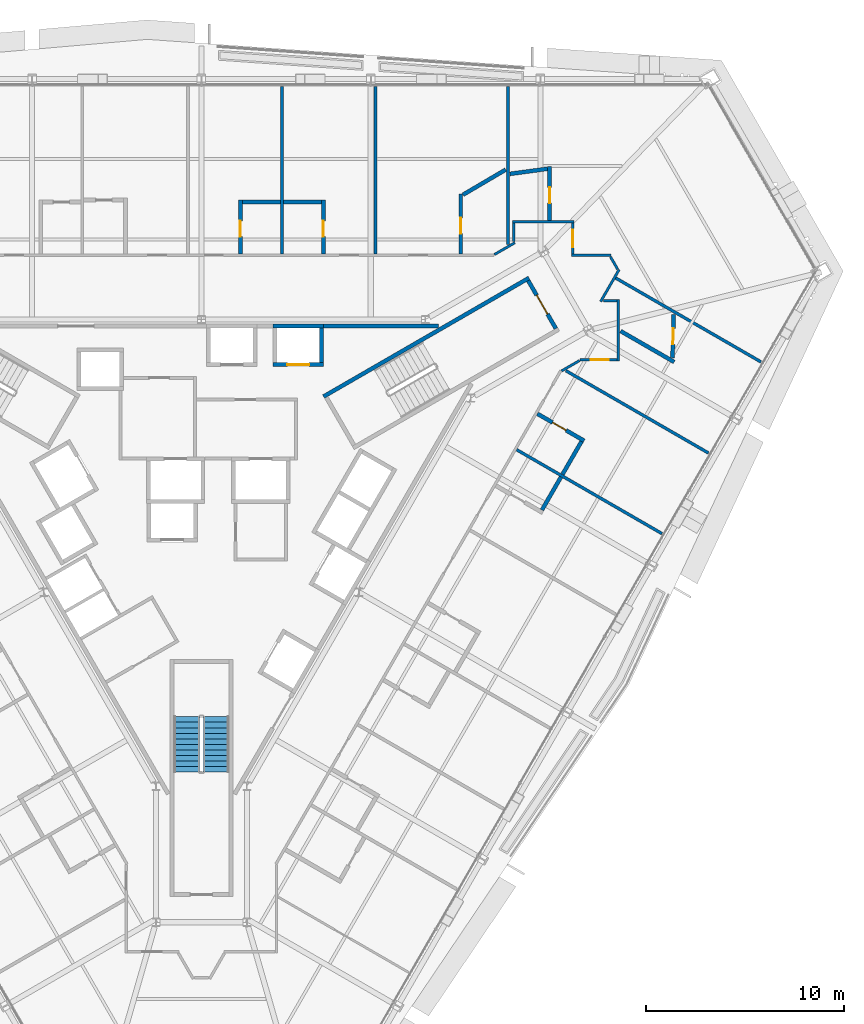
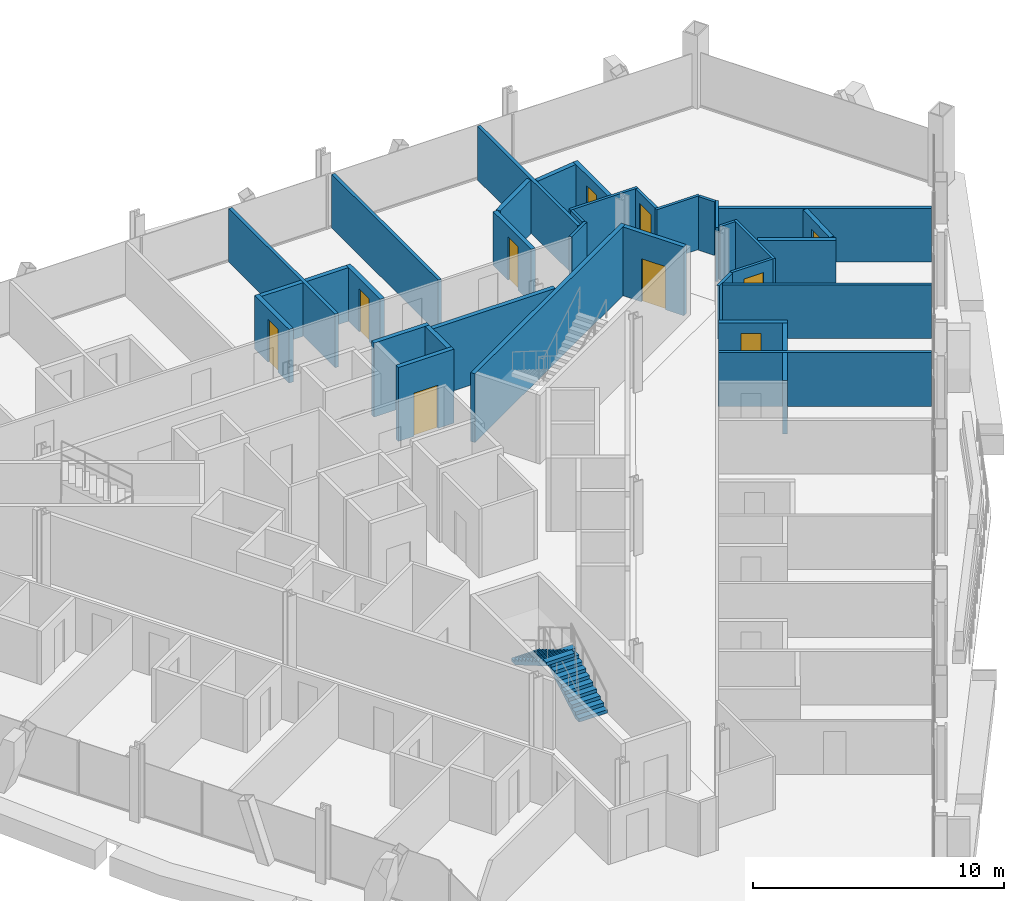
# One storey, part 17 of 20: 36 walls, 10 doors, 2 stair flights, 10 openings, 1 element without a shape of its own.
"""IFC4 building model written with IfcOpenShell, lengths in metres."""

from ifc_helpers import new_model, si_unit, direction, frame, frame_2d, origin, place, context, subcontext, project, spatial, polyline, rectangle, outline, extrude, material, layer, layer_set, type_object, element, fill, aggregate, save


model = new_model("IFC4")

# Units and contexts
model_context = context("Model", 3, precision=1e-05, world=origin(), true_north=direction((0.0, 1.0)))
body_context = subcontext(model_context, "Body", "Model", "MODEL_VIEW")
ifc_project = project(units=[si_unit("LENGTHUNIT", "METRE"), si_unit("AREAUNIT", "SQUARE_METRE"), si_unit("VOLUMEUNIT", "CUBIC_METRE"), si_unit("PLANEANGLEUNIT", "RADIAN"), si_unit("MASSUNIT", "GRAM", prefix="KILO")], contexts=[model_context])

# Site, building, storey
site_placement = place(None, origin())
site = spatial("IfcSite", under=ifc_project, at=site_placement, CompositionType="ELEMENT")
building_placement = place(site_placement, origin())
building = spatial("IfcBuilding", under=site, at=building_placement, Name="Verrane Prism Tower", CompositionType="ELEMENT")
storey_placement = place(building_placement, frame((0.0, 0.0, 69.199951171875)))
storey = spatial("IfcBuildingStorey", under=building, at=storey_placement, Name="L15", CompositionType="ELEMENT", Elevation=69.199951171875)

# Wall
ifc_material_1 = material(Name="Gypsum board partition", Category="other")
ifc_layer_1 = layer(ifc_material_1, 0.199951171875)
ifc_layer_set_1 = layer_set([ifc_layer_1], Name="CW-200 core boundary wall 2 h")
wall_type_1 = type_object("IfcWallType", Name="CW-200 core boundary wall 2 h", PredefinedType="PARTITIONING", material=ifc_layer_set_1)
wall_1_placement = place(storey_placement, frame((6.177001953125, 8.860107421875, 0.0), z_axis=(0.0, 0.0, 1.0), x_axis=(1.0, 0.0, 0.0)))
element("IfcWall", 1, at=wall_1_placement, inside=storey, type_object=wall_type_1, Name="Core boundary wall CW3-006", PredefinedType="PARTITIONING", context=body_context, shape_type="SweptSolid", body=[
    extrude(rectangle(XDim=5.81396484375, YDim=0.199951171875, at=frame_2d((2.906982421875, 0.0))), origin(), (0.0, 0.0, 1.0), 3.35009765625),
])

# Wall, opening, door
ifc_material_2 = material(Name="Concrete C40/50", Category="concrete")
ifc_layer_2 = layer(ifc_material_2, 0.199951171875)
ifc_layer_set_2 = layer_set([ifc_layer_2], Name="CW-200 stair core wall concrete C40/50 3 h")
wall_type_2 = type_object("IfcWallType", Name="CW-200 stair core wall concrete C40/50 3 h", PredefinedType="PARTITIONING", material=ifc_layer_set_2)
wall_2_placement = place(storey_placement, frame((17.933837890625, 8.737548828125, 0.0), z_axis=(0.0, 0.0, 1.0), x_axis=(-0.49998411664, 0.866034573852, 0.0)))
wall_2 = element("IfcWall", 2, at=wall_2_placement, inside=storey, type_object=wall_type_2, Name="Stair 1 enclosure wall", PredefinedType="PARTITIONING", context=body_context, shape_type="SweptSolid", body=[
    extrude(rectangle(XDim=2.7998046875, YDim=0.199951171875, at=frame_2d((1.39990234375, 0.0))), origin(), (0.0, 0.0, 1.0), 3.35009765625),
])
opening_1_placement = place(wall_2_placement, frame((0.849853515625, 0.0, 0.0)))
opening_1 = element("IfcOpeningElement", 3, at=opening_1_placement, cuts=wall_2, Name="Opening D14500", PredefinedType="OPENING", context=body_context, shape_type="SweptSolid", body=[
    extrude(rectangle(XDim=1.10009765625, YDim=2.10009765625, at=frame_2d((0.550048828125, 1.050048828125))), frame((0.0, 0.10986328125, 0.0), z_axis=(0.0, -1.0, 0.0), x_axis=(1.0, 0.0, 0.0)), (0.0, 0.0, 1.0), 0.219970703125),
])
ifc_material_3 = material(Name="Timber veneered door leaf", Category="wood")
door_type_1 = type_object("IfcDoorType", Name="DR-1100x2100 FD90 single leaf stair", OperationType="NOTDEFINED", PredefinedType="DOOR", material=ifc_material_3)
door_1_placement = place(opening_1_placement, origin())
door_1 = element("IfcDoor", 4, at=door_1_placement, inside=storey, type_object=door_type_1, Name="Stair 1 door", OperationType="SINGLE_SWING_LEFT", OverallHeight=2.10009765625, OverallWidth=1.10009765625, PredefinedType="DOOR", context=body_context, shape_type="SweptSolid", body=[
    extrude(rectangle(XDim=1.10009765625, YDim=2.10009765625, at=frame_2d((0.550048828125, 1.050048828125))), frame((0.0, 0.02490234375, 0.0), z_axis=(0.0, -1.0, 0.0), x_axis=(1.0, 0.0, 0.0)), (0.0, 0.0, 1.0), 0.050048828125),
])
fill(opening_1, door_1)

# Wall
wall_3_placement = place(storey_placement, frame((6.17822265625, 5.299072265625, 0.0), z_axis=(0.0, 0.0, 1.0), x_axis=(0.866026010844, 0.49999894854, 0.0)))
element("IfcWall", 5, at=wall_3_placement, inside=storey, type_object=wall_type_2, Name="Stair 1 enclosure wall", PredefinedType="PARTITIONING", context=body_context, shape_type="SweptSolid", body=[
    extrude(rectangle(XDim=12.0, YDim=0.199951171875, at=frame_2d((6.0, 0.0))), origin(), (0.0, 0.0, 1.0), 3.35009765625),
])

# Wall, opening, door
ifc_material_4 = material(Name="Gypsum board shaft wall assembly", Category="other")
ifc_layer_3 = layer(ifc_material_4, 0.199951171875)
ifc_layer_set_3 = layer_set([ifc_layer_3], Name="HW-200 lift shaft wall 2 h")
wall_type_3 = type_object("IfcWallType", Name="HW-200 lift shaft wall 2 h", PredefinedType="PARTITIONING", material=ifc_layer_set_3)
wall_4_placement = place(storey_placement, frame((3.625, 6.909912109375, 0.0), z_axis=(0.0, 0.0, 1.0), x_axis=(1.0, 0.0, 0.0)))
wall_4 = element("IfcWall", 6, at=wall_4_placement, inside=storey, type_object=wall_type_3, Name="Lift shaft wall", PredefinedType="PARTITIONING", context=body_context, shape_type="SweptSolid", body=[
    extrude(rectangle(XDim=2.550048828125, YDim=0.199951171875, at=frame_2d((1.27490234375, 0.0))), origin(), (0.0, 0.0, 1.0), 3.60009765625),
])
opening_2_placement = place(wall_4_placement, frame((0.72509765625, 0.0, 0.0)))
opening_2 = element("IfcOpeningElement", 7, at=opening_2_placement, cuts=wall_4, Name="Opening D14505", PredefinedType="OPENING", context=body_context, shape_type="SweptSolid", body=[
    extrude(rectangle(XDim=1.10009765625, YDim=2.10009765625, at=frame_2d((0.550048828125, 1.050048828125))), frame((0.0, 0.10986328125, 0.0), z_axis=(0.0, -1.0, 0.0), x_axis=(1.0, 0.0, 0.0)), (0.0, 0.0, 1.0), 0.219970703125),
])
ifc_material_5 = material(Name="Stainless steel sliding landing door", Category="steel")
door_type_2 = type_object("IfcDoorType", Name="LD-1100x2100 lift landing door FD90 sliding", OperationType="NOTDEFINED", PredefinedType="DOOR", material=ifc_material_5)
door_2_placement = place(opening_2_placement, origin())
door_2 = element("IfcDoor", 8, at=door_2_placement, inside=storey, type_object=door_type_2, Name="Bank A lift 3 landing door", OperationType="SLIDING_TO_LEFT", OverallHeight=2.10009765625, OverallWidth=1.10009765625, PredefinedType="DOOR", context=body_context, shape_type="SweptSolid", body=[
    extrude(rectangle(XDim=1.10009765625, YDim=2.10009765625, at=frame_2d((0.550048828125, 1.050048828125))), frame((0.0, 0.02490234375, 0.0), z_axis=(0.0, -1.0, 0.0), x_axis=(1.0, 0.0, 0.0)), (0.0, 0.0, 1.0), 0.050048828125),
])
fill(opening_2, door_2)

# Walls
wall_5_placement = place(storey_placement, frame((3.625, 8.860107421875, 0.0), z_axis=(0.0, 0.0, 1.0), x_axis=(1.0, 0.0, 0.0)))
element("IfcWall", 9, at=wall_5_placement, inside=storey, type_object=wall_type_3, Name="Lift shaft wall", PredefinedType="PARTITIONING", context=body_context, shape_type="SweptSolid", body=[
    extrude(rectangle(XDim=2.550048828125, YDim=0.199951171875, at=frame_2d((1.27490234375, 0.0))), origin(), (0.0, 0.0, 1.0), 3.60009765625),
])
wall_6_placement = place(storey_placement, frame((6.074951171875, 7.010009765625, 0.0), z_axis=(0.0, 0.0, 1.0), x_axis=(0.0, 1.0, 0.0)))
element("IfcWall", 10, at=wall_6_placement, inside=storey, type_object=wall_type_3, Name="Lift shaft wall", PredefinedType="PARTITIONING", context=body_context, shape_type="SweptSolid", body=[
    extrude(rectangle(XDim=1.75, YDim=0.199951171875, at=frame_2d((0.875, 0.0))), origin(), (0.0, 0.0, 1.0), 3.60009765625),
])
ifc_material_6 = material(Name="Gypsum board partition", Category="other")
ifc_layer_4 = layer(ifc_material_6, 0.125)
ifc_layer_set_4 = layer_set([ifc_layer_4], Name="PW-125 corridor wall 1 h")
wall_type_4 = type_object("IfcWallType", Name="PW-125 corridor wall 1 h", PredefinedType="PARTITIONING", material=ifc_layer_set_4)
wall_7_placement = place(storey_placement, frame((14.821533203125, 12.4833984375, 0.0), z_axis=(0.0, 0.0, 1.0), x_axis=(0.866035997947, 0.499981649923, 0.0)))
element("IfcWall", 11, at=wall_7_placement, inside=storey, type_object=wall_type_4, Name="Corridor wall 075", PredefinedType="PARTITIONING", context=body_context, shape_type="SweptSolid", body=[
    extrude(rectangle(XDim=1.19580078125, YDim=0.125, at=frame_2d((0.597900390625, 0.0))), origin(), (0.0, 0.0, 1.0), 2.613037109375),
])
wall_8_placement = place(storey_placement, frame((15.802978515625, 13.135009765625, 0.0), z_axis=(0.0, 0.0, 1.0), x_axis=(0.0, 1.0, 0.0)))
element("IfcWall", 12, at=wall_8_placement, inside=storey, type_object=wall_type_4, Name="Corridor wall 079", PredefinedType="PARTITIONING", context=body_context, shape_type="SweptSolid", body=[
    extrude(rectangle(XDim=0.93701171875, YDim=0.125, at=frame_2d((0.468505859375, 0.0))), origin(), (0.0, 0.0, 1.0), 2.613037109375),
])
wall_9_placement = place(storey_placement, frame((15.740478515625, 14.136962890625, 0.0), z_axis=(0.0, 0.0, 1.0), x_axis=(1.0, 0.0, 0.0)))
element("IfcWall", 13, at=wall_9_placement, inside=storey, type_object=wall_type_4, Name="Corridor wall 080", PredefinedType="PARTITIONING", context=body_context, shape_type="SweptSolid", body=[
    extrude(rectangle(XDim=3.119140625, YDim=0.125, at=frame_2d((1.5595703125, 0.0))), origin(), (0.0, 0.0, 1.0), 2.613037109375),
])
wall_10_placement = place(storey_placement, frame((18.2216796875, 6.594482421875, 0.0), z_axis=(0.0, 0.0, 1.0), x_axis=(0.865876245925, 0.500258260045, 0.0)))
element("IfcWall", 14, at=wall_10_placement, inside=storey, type_object=wall_type_4, Name="Corridor wall 085", PredefinedType="PARTITIONING", context=body_context, shape_type="SweptSolid", body=[
    extrude(rectangle(XDim=1.0517578125, YDim=0.125, at=frame_2d((0.52587890625, 0.0))), origin(), (0.0, 0.0, 1.0), 2.613037109375),
])

# Wall, opening, door
wall_11_placement = place(storey_placement, frame((18.797119140625, 14.072021484375, 0.0), z_axis=(0.0, 0.0, 1.0), x_axis=(0.0, -1.0, 0.0)))
wall_11 = element("IfcWall", 15, at=wall_11_placement, inside=storey, type_object=wall_type_4, Name="Corridor wall 088", PredefinedType="PARTITIONING", context=body_context, shape_type="SweptSolid", body=[
    extrude(rectangle(XDim=1.56591796875, YDim=0.125, at=frame_2d((0.782958984375, 0.0))), origin(), (0.0, 0.0, 1.0), 2.613037109375),
])
opening_3_placement = place(wall_11_placement, frame((0.3310546875, 0.0, 0.0)))
opening_3 = element("IfcOpeningElement", 16, at=opening_3_placement, cuts=wall_11, Name="Opening D14016", PredefinedType="OPENING", context=body_context, shape_type="SweptSolid", body=[
    extrude(rectangle(XDim=0.89990234375, YDim=2.10009765625, at=frame_2d((0.449951171875, 1.050048828125))), frame((0.0, 0.072509765625, 0.0), z_axis=(0.0, -1.0, 0.0), x_axis=(1.0, 0.0, 0.0)), (0.0, 0.0, 1.0), 0.14501953125),
])
ifc_material_7 = material(Name="Timber veneered door leaf", Category="wood")
door_type_3 = type_object("IfcDoorType", Name="DR-900x2100 FD20 single leaf unit", OperationType="NOTDEFINED", PredefinedType="DOOR", material=ifc_material_7)
door_3_placement = place(opening_3_placement, origin())
door_3 = element("IfcDoor", 17, at=door_3_placement, inside=storey, type_object=door_type_3, Name="Corner Suite door", OperationType="SINGLE_SWING_LEFT", OverallHeight=2.10009765625, OverallWidth=0.89990234375, PredefinedType="DOOR", context=body_context, shape_type="SweptSolid", body=[
    extrude(rectangle(XDim=0.89990234375, YDim=2.10009765625, at=frame_2d((0.449951171875, 1.050048828125))), frame((0.0, 0.02490234375, 0.0), z_axis=(0.0, -1.0, 0.0), x_axis=(1.0, 0.0, 0.0)), (0.0, 0.0, 1.0), 0.050048828125),
])
fill(opening_3, door_3)

# Wall
wall_12_placement = place(storey_placement, frame((18.734619140625, 12.44091796875, 0.0), z_axis=(0.0, 0.0, 1.0), x_axis=(1.0, 0.0, 0.0)))
element("IfcWall", 18, at=wall_12_placement, inside=storey, type_object=wall_type_4, Name="Corridor wall 089", PredefinedType="PARTITIONING", context=body_context, shape_type="SweptSolid", body=[
    extrude(rectangle(XDim=1.98193359375, YDim=0.125, at=frame_2d((0.990966796875, 0.0))), origin(), (0.0, 0.0, 1.0), 2.613037109375),
])

# Wall, opening, door
wall_13_placement = place(storey_placement, frame((21.031982421875, 7.1630859375, 0.0), z_axis=(0.0, 0.0, 1.0), x_axis=(-1.0, 0.0, 0.0)))
wall_13 = element("IfcWall", 19, at=wall_13_placement, inside=storey, type_object=wall_type_4, Name="Corridor wall 090", PredefinedType="PARTITIONING", context=body_context, shape_type="SweptSolid", body=[
    extrude(rectangle(XDim=1.888427734375, YDim=0.125, at=frame_2d((0.9443359375, 0.0))), origin(), (0.0, 0.0, 1.0), 2.613037109375),
])
opening_4_placement = place(wall_13_placement, frame((0.426025390625, 0.0, 0.0)))
opening_4 = element("IfcOpeningElement", 20, at=opening_4_placement, cuts=wall_13, Name="Opening D14014", PredefinedType="OPENING", context=body_context, shape_type="SweptSolid", body=[
    extrude(rectangle(XDim=0.89990234375, YDim=2.10009765625, at=frame_2d((0.449951171875, 1.050048828125))), frame((0.0, 0.072509765625, 0.0), z_axis=(0.0, -1.0, 0.0), x_axis=(1.0, 0.0, 0.0)), (0.0, 0.0, 1.0), 0.14501953125),
])
door_4_placement = place(opening_4_placement, origin())
door_4 = element("IfcDoor", 21, at=door_4_placement, inside=storey, type_object=door_type_3, Name="Guest Room door", OperationType="SINGLE_SWING_LEFT", OverallHeight=2.10009765625, OverallWidth=0.89990234375, PredefinedType="DOOR", context=body_context, shape_type="SweptSolid", body=[
    extrude(rectangle(XDim=0.89990234375, YDim=2.10009765625, at=frame_2d((0.449951171875, 1.050048828125))), frame((0.0, 0.02490234375, 0.0), z_axis=(0.0, -1.0, 0.0), x_axis=(1.0, 0.0, 0.0)), (0.0, 0.0, 1.0), 0.050048828125),
])
fill(opening_4, door_4)

# Walls
wall_14_placement = place(storey_placement, frame((20.333984375, 10.156982421875, 0.0), z_axis=(0.0, 0.0, 1.0), x_axis=(1.0, 0.0, 0.0)))
element("IfcWall", 22, at=wall_14_placement, inside=storey, type_object=wall_type_4, Name="Corridor wall 091", PredefinedType="PARTITIONING", context=body_context, shape_type="SweptSolid", body=[
    extrude(rectangle(XDim=0.697998046875, YDim=0.125, at=frame_2d((0.34912109375, 0.0))), origin(), (0.0, 0.0, 1.0), 2.613037109375),
])
wall_15_placement = place(storey_placement, frame((20.19775390625, 10.102783203125, 0.0), z_axis=(0.0, 0.0, 1.0), x_axis=(0.500072997275, 0.865983254686, 0.0)))
element("IfcWall", 23, at=wall_15_placement, inside=storey, type_object=wall_type_4, Name="Corridor wall 092", PredefinedType="PARTITIONING", context=body_context, shape_type="SweptSolid", body=[
    extrude(rectangle(XDim=1.868896484375, YDim=0.125, at=frame_2d((0.9345703125, 0.0))), origin(), (0.0, 0.0, 1.0), 2.613037109375),
])
wall_16_placement = place(storey_placement, frame((20.696533203125, 12.367431640625, 0.0), z_axis=(0.0, 0.0, 1.0), x_axis=(0.500238258503, -0.865887801468, 0.0)))
element("IfcWall", 24, at=wall_16_placement, inside=storey, type_object=wall_type_4, Name="Corridor wall 093", PredefinedType="PARTITIONING", context=body_context, shape_type="SweptSolid", body=[
    extrude(rectangle(XDim=0.723876953125, YDim=0.125, at=frame_2d((0.36181640625, 0.0))), origin(), (0.0, 0.0, 1.0), 2.613037109375),
])
wall_17_placement = place(storey_placement, frame((21.096923828125, 7.1005859375, 0.0), z_axis=(0.0, 0.0, 1.0), x_axis=(0.0, 1.0, 0.0)))
element("IfcWall", 25, at=wall_17_placement, inside=storey, type_object=wall_type_4, Name="Corridor wall 095", PredefinedType="PARTITIONING", context=body_context, shape_type="SweptSolid", body=[
    extrude(rectangle(XDim=3.118896484375, YDim=0.125, at=frame_2d((1.5595703125, 0.0))), origin(), (0.0, 0.0, 1.0), 2.613037109375),
])
ifc_material_8 = material(Name="Gypsum board partition", Category="other")
ifc_layer_5 = layer(ifc_material_8, 0.14990234375)
ifc_layer_set_5 = layer_set([ifc_layer_5], Name="PW-150 demising wall 1 h")
wall_type_5 = type_object("IfcWallType", Name="PW-150 demising wall 1 h", PredefinedType="PARTITIONING", material=ifc_layer_set_5)
for number, where, z_axis, x_axis, name in (
    (26, (4.072998046875, 12.50341796875, 0.0), (0.0, 0.0, 1.0), (0.0, 1.0, 0.0), "Demising wall 057"),
    (27, (8.81591796875, 12.50341796875, 0.0), (0.0, 0.0, 1.0), (0.0, 1.0, 0.0), "Demising wall 066"),
):
    element("IfcWall", number, at=place(storey_placement, frame(where, z_axis=z_axis, x_axis=x_axis)), inside=storey, type_object=wall_type_5, Name=name, PredefinedType="PARTITIONING", context=body_context, shape_type="SweptSolid", body=[
        extrude(rectangle(XDim=8.49169921875, YDim=0.14990234375, at=frame_2d((4.245849609375, 0.0))), origin(), (0.0, 0.0, 1.0), 2.613037109375),
    ])
wall_18_placement = place(storey_placement, frame((15.51904296875, 13.00146484375, 0.0), z_axis=(0.0, 0.0, 1.0), x_axis=(0.0, 1.0, 0.0)))
element("IfcWall", 28, at=wall_18_placement, inside=storey, type_object=wall_type_5, Name="Demising wall 077", PredefinedType="PARTITIONING", context=body_context, shape_type="SweptSolid", body=[
    extrude(rectangle(XDim=7.99365234375, YDim=0.14990234375, at=frame_2d((3.996826171875, 0.0))), origin(), (0.0, 0.0, 1.0), 2.613037109375),
])
wall_19_placement = place(storey_placement, frame((15.948486328125, 2.608154296875, 0.0), z_axis=(0.0, 0.0, 1.0), x_axis=(0.866059124033, -0.499941590267, 0.0)))
element("IfcWall", 29, at=wall_19_placement, inside=storey, type_object=wall_type_5, Name="Demising wall 081", PredefinedType="PARTITIONING", context=body_context, shape_type="SweptSolid", body=[
    extrude(rectangle(XDim=8.48681640625, YDim=0.14990234375, at=frame_2d((4.243408203125, 0.0))), origin(), (0.0, 0.0, 1.0), 2.613037109375),
])
wall_20_placement = place(storey_placement, frame((18.43994140625, 6.605224609375, 0.0), z_axis=(0.0, 0.0, 1.0), x_axis=(0.866044499518, -0.49996692376, 0.0)))
element("IfcWall", 30, at=wall_20_placement, inside=storey, type_object=wall_type_5, Name="Demising wall 087", PredefinedType="PARTITIONING", context=body_context, shape_type="SweptSolid", body=[
    extrude(rectangle(XDim=8.32763671875, YDim=0.14990234375, at=frame_2d((4.163818359375, 0.0))), origin(), (0.0, 0.0, 1.0), 2.613037109375),
])
wall_21_placement = place(storey_placement, frame((20.959228515625, 11.295654296875, 0.0), z_axis=(0.0, 0.0, 1.0), x_axis=(0.866022790583, -0.50000452617, 0.0)))
element("IfcWall", 31, at=wall_21_placement, inside=storey, type_object=wall_type_5, Name="Demising wall 094", PredefinedType="PARTITIONING", context=body_context, shape_type="SweptSolid", body=[
    extrude(rectangle(XDim=8.4912109375, YDim=0.14990234375, at=frame_2d((4.24560546875, 0.0))), origin(), (0.0, 0.0, 1.0), 2.613037109375),
])

# Wall, opening, door
ifc_material_9 = material(Name="Gypsum board partition", Category="other")
ifc_layer_6 = layer(ifc_material_9, 0.199951171875)
ifc_layer_set_6 = layer_set([ifc_layer_6], Name="PW-200 plumbing wall")
wall_type_6 = type_object("IfcWallType", Name="PW-200 plumbing wall", PredefinedType="PARTITIONING", material=ifc_layer_set_6)
wall_22_placement = place(storey_placement, frame((1.972900390625, 15.240966796875, 0.0), z_axis=(0.0, 0.0, 1.0), x_axis=(0.0, -1.0, 0.0)))
wall_22 = element("IfcWall", 32, at=wall_22_placement, inside=storey, type_object=wall_type_6, Name="Plumbing wall 052", PredefinedType="PARTITIONING", context=body_context, shape_type="SweptSolid", body=[
    extrude(rectangle(XDim=2.737548828125, YDim=0.199951171875, at=frame_2d((1.36865234375, 0.0))), origin(), (0.0, 0.0, 1.0), 2.613037109375),
])
opening_5_placement = place(wall_22_placement, frame((1.050048828125, 0.0, 0.0)))
opening_5 = element("IfcOpeningElement", 33, at=opening_5_placement, cuts=wall_22, Name="Opening D14023", PredefinedType="OPENING", context=body_context, shape_type="SweptSolid", body=[
    extrude(rectangle(XDim=0.800048828125, YDim=2.10009765625, at=frame_2d((0.39990234375, 1.050048828125))), frame((0.0, 0.10986328125, 0.0), z_axis=(0.0, -1.0, 0.0), x_axis=(1.0, 0.0, 0.0)), (0.0, 0.0, 1.0), 0.219970703125),
])
ifc_material_10 = material(Name="Timber veneered door leaf", Category="wood")
door_type_4 = type_object("IfcDoorType", Name="DR-800x2100 single leaf bath", OperationType="NOTDEFINED", PredefinedType="DOOR", material=ifc_material_10)
door_5_placement = place(opening_5_placement, origin())
door_5 = element("IfcDoor", 34, at=door_5_placement, inside=storey, type_object=door_type_4, Name="En-Suite door", OperationType="SINGLE_SWING_RIGHT", OverallHeight=2.10009765625, OverallWidth=0.800048828125, PredefinedType="DOOR", context=body_context, shape_type="SweptSolid", body=[
    extrude(rectangle(XDim=0.800048828125, YDim=2.10009765625, at=frame_2d((0.39990234375, 1.050048828125))), frame((0.0, 0.02490234375, 0.0), z_axis=(0.0, -1.0, 0.0), x_axis=(1.0, 0.0, 0.0)), (0.0, 0.0, 1.0), 0.050048828125),
])
fill(opening_5, door_5)

# Walls
for number, where, z_axis, x_axis, name in (
    (35, (2.072998046875, 15.14111328125, 0.0), (0.0, 0.0, 1.0), (1.0, 0.0, 0.0), "Plumbing wall 053"),
    (36, (4.153076171875, 15.14111328125, 0.0), (0.0, 0.0, 1.0), (1.0, 0.0, 0.0), "Plumbing wall 058"),
):
    element("IfcWall", number, at=place(storey_placement, frame(where, z_axis=z_axis, x_axis=x_axis)), inside=storey, type_object=wall_type_6, Name=name, PredefinedType="PARTITIONING", context=body_context, shape_type="SweptSolid", body=[
        extrude(rectangle(XDim=1.919921875, YDim=0.199951171875, at=frame_2d((0.9599609375, 0.0))), origin(), (0.0, 0.0, 1.0), 2.613037109375),
    ])

# Wall, opening, door
wall_23_placement = place(storey_placement, frame((6.173095703125, 12.50341796875, 0.0), z_axis=(0.0, 0.0, 1.0), x_axis=(0.0, 1.0, 0.0)))
wall_23 = element("IfcWall", 37, at=wall_23_placement, inside=storey, type_object=wall_type_6, Name="Plumbing wall 061", PredefinedType="PARTITIONING", context=body_context, shape_type="SweptSolid", body=[
    extrude(rectangle(XDim=2.737548828125, YDim=0.199951171875, at=frame_2d((1.36865234375, 0.0))), origin(), (0.0, 0.0, 1.0), 2.613037109375),
])
opening_6_placement = place(wall_23_placement, frame((0.887451171875, 0.0, 0.0)))
opening_6 = element("IfcOpeningElement", 38, at=opening_6_placement, cuts=wall_23, Name="Opening D14021", PredefinedType="OPENING", context=body_context, shape_type="SweptSolid", body=[
    extrude(rectangle(XDim=0.800048828125, YDim=2.10009765625, at=frame_2d((0.39990234375, 1.050048828125))), frame((0.0, 0.10986328125, 0.0), z_axis=(0.0, -1.0, 0.0), x_axis=(1.0, 0.0, 0.0)), (0.0, 0.0, 1.0), 0.219970703125),
])
door_6_placement = place(opening_6_placement, origin())
door_6 = element("IfcDoor", 39, at=door_6_placement, inside=storey, type_object=door_type_4, Name="En-Suite door", OperationType="SINGLE_SWING_LEFT", OverallHeight=2.10009765625, OverallWidth=0.800048828125, PredefinedType="DOOR", context=body_context, shape_type="SweptSolid", body=[
    extrude(rectangle(XDim=0.800048828125, YDim=2.10009765625, at=frame_2d((0.39990234375, 1.050048828125))), frame((0.0, 0.02490234375, 0.0), z_axis=(0.0, -1.0, 0.0), x_axis=(1.0, 0.0, 0.0)), (0.0, 0.0, 1.0), 0.050048828125),
])
fill(opening_6, door_6)

wall_24_placement = place(storey_placement, frame((13.118896484375, 15.541015625, 0.0), z_axis=(0.0, 0.0, 1.0), x_axis=(0.0, -1.0, 0.0)))
wall_24 = element("IfcWall", 40, at=wall_24_placement, inside=storey, type_object=wall_type_6, Name="Plumbing wall 072", PredefinedType="PARTITIONING", context=body_context, shape_type="SweptSolid", body=[
    extrude(rectangle(XDim=3.03759765625, YDim=0.199951171875, at=frame_2d((1.518798828125, 0.0))), origin(), (0.0, 0.0, 1.0), 2.613037109375),
])
opening_7_placement = place(wall_24_placement, frame((1.199951171875, 0.0, 0.0)))
opening_7 = element("IfcOpeningElement", 41, at=opening_7_placement, cuts=wall_24, Name="Opening D14019", PredefinedType="OPENING", context=body_context, shape_type="SweptSolid", body=[
    extrude(rectangle(XDim=0.800048828125, YDim=2.10009765625, at=frame_2d((0.39990234375, 1.050048828125))), frame((0.0, 0.10986328125, 0.0), z_axis=(0.0, -1.0, 0.0), x_axis=(1.0, 0.0, 0.0)), (0.0, 0.0, 1.0), 0.219970703125),
])
door_7_placement = place(opening_7_placement, origin())
door_7 = element("IfcDoor", 42, at=door_7_placement, inside=storey, type_object=door_type_4, Name="En-Suite door", OperationType="SINGLE_SWING_RIGHT", OverallHeight=2.10009765625, OverallWidth=0.800048828125, PredefinedType="DOOR", context=body_context, shape_type="SweptSolid", body=[
    extrude(rectangle(XDim=0.800048828125, YDim=2.10009765625, at=frame_2d((0.39990234375, 1.050048828125))), frame((0.0, 0.02490234375, 0.0), z_axis=(0.0, -1.0, 0.0), x_axis=(1.0, 0.0, 0.0)), (0.0, 0.0, 1.0), 0.050048828125),
])
fill(opening_7, door_7)

# Walls
wall_25_placement = place(storey_placement, frame((13.2353515625, 15.509521484375, 0.0), z_axis=(0.0, 0.0, 1.0), x_axis=(0.861909146735, 0.507062740471, 0.0)))
element("IfcWall", 43, at=wall_25_placement, inside=storey, type_object=wall_type_6, Name="Plumbing wall 073", PredefinedType="PARTITIONING", context=body_context, shape_type="SweptSolid", body=[
    extrude(rectangle(XDim=2.503662109375, YDim=0.199951171875, at=frame_2d((1.251953125, 0.0))), origin(), (0.0, 0.0, 1.0), 2.613037109375),
])
wall_26_placement = place(storey_placement, frame((15.607421875, 16.56494140625, 0.0), z_axis=(0.0, 0.0, 1.0), x_axis=(0.990982367401, 0.133992341199, 0.0)))
element("IfcWall", 44, at=wall_26_placement, inside=storey, type_object=wall_type_6, Name="Plumbing wall 078", PredefinedType="PARTITIONING", context=body_context, shape_type="SweptSolid", body=[
    extrude(rectangle(XDim=1.9150390625, YDim=0.199951171875, at=frame_2d((0.95751953125, 0.0))), origin(), (0.0, 0.0, 1.0), 2.613037109375),
])

# Wall, opening, door
wall_27_placement = place(storey_placement, frame((19.36572265625, 3.06103515625, 0.0), z_axis=(0.0, 0.0, 1.0), x_axis=(-0.866102295869, 0.499866795347, 0.0)))
wall_27 = element("IfcWall", 45, at=wall_27_placement, inside=storey, type_object=wall_type_6, Name="Plumbing wall 082", PredefinedType="PARTITIONING", context=body_context, shape_type="SweptSolid", body=[
    extrude(rectangle(XDim=2.733154296875, YDim=0.199951171875, at=frame_2d((1.36669921875, 0.0))), origin(), (0.0, 0.0, 1.0), 2.613037109375),
])
opening_8_placement = place(wall_27_placement, frame((1.050537109375, 0.0, 0.0)))
opening_8 = element("IfcOpeningElement", 46, at=opening_8_placement, cuts=wall_27, Name="Opening D14013", PredefinedType="OPENING", context=body_context, shape_type="SweptSolid", body=[
    extrude(rectangle(XDim=0.800048828125, YDim=2.10009765625, at=frame_2d((0.39990234375, 1.050048828125))), frame((0.0, 0.10986328125, 0.0), z_axis=(0.0, -1.0, 0.0), x_axis=(1.0, 0.0, 0.0)), (0.0, 0.0, 1.0), 0.219970703125),
])
door_8_placement = place(opening_8_placement, origin())
door_8 = element("IfcDoor", 47, at=door_8_placement, inside=storey, type_object=door_type_4, Name="En-Suite door", OperationType="SINGLE_SWING_RIGHT", OverallHeight=2.10009765625, OverallWidth=0.800048828125, PredefinedType="DOOR", context=body_context, shape_type="SweptSolid", body=[
    extrude(rectangle(XDim=0.800048828125, YDim=2.10009765625, at=frame_2d((0.39990234375, 1.050048828125))), frame((0.0, 0.02490234375, 0.0), z_axis=(0.0, -1.0, 0.0), x_axis=(1.0, 0.0, 0.0)), (0.0, 0.0, 1.0), 0.050048828125),
])
fill(opening_8, door_8)

# Wall
wall_28_placement = place(storey_placement, frame((17.22900390625, -0.4404296875, 0.0), z_axis=(0.0, 0.0, 1.0), x_axis=(0.499667418833, 0.866217334482, 0.0)))
element("IfcWall", 48, at=wall_28_placement, inside=storey, type_object=wall_type_6, Name="Plumbing wall 083", PredefinedType="PARTITIONING", context=body_context, shape_type="SweptSolid", body=[
    extrude(rectangle(XDim=1.920166015625, YDim=0.199951171875, at=frame_2d((0.9599609375, 0.0))), origin(), (0.0, 0.0, 1.0), 2.613037109375),
])

# Wall, opening, door
wall_29_placement = place(storey_placement, frame((17.618896484375, 14.199462890625, 0.0), z_axis=(0.0, 0.0, 1.0), x_axis=(0.0, 1.0, 0.0)))
wall_29 = element("IfcWall", 49, at=wall_29_placement, inside=storey, type_object=wall_type_6, Name="Plumbing wall 084", PredefinedType="PARTITIONING", context=body_context, shape_type="SweptSolid", body=[
    extrude(rectangle(XDim=2.737548828125, YDim=0.199951171875, at=frame_2d((1.36865234375, 0.0))), origin(), (0.0, 0.0, 1.0), 2.613037109375),
])
opening_9_placement = place(wall_29_placement, frame((0.887451171875, 0.0, 0.0)))
opening_9 = element("IfcOpeningElement", 50, at=opening_9_placement, cuts=wall_29, Name="Opening D14017", PredefinedType="OPENING", context=body_context, shape_type="SweptSolid", body=[
    extrude(rectangle(XDim=0.800048828125, YDim=2.10009765625, at=frame_2d((0.39990234375, 1.050048828125))), frame((0.0, 0.10986328125, 0.0), z_axis=(0.0, -1.0, 0.0), x_axis=(1.0, 0.0, 0.0)), (0.0, 0.0, 1.0), 0.219970703125),
])
door_9_placement = place(opening_9_placement, origin())
door_9 = element("IfcDoor", 51, at=door_9_placement, inside=storey, type_object=door_type_4, Name="En-Suite door", OperationType="SINGLE_SWING_LEFT", OverallHeight=2.10009765625, OverallWidth=0.800048828125, PredefinedType="DOOR", context=body_context, shape_type="SweptSolid", body=[
    extrude(rectangle(XDim=0.800048828125, YDim=2.10009765625, at=frame_2d((0.39990234375, 1.050048828125))), frame((0.0, 0.02490234375, 0.0), z_axis=(0.0, -1.0, 0.0), x_axis=(1.0, 0.0, 0.0)), (0.0, 0.0, 1.0), 0.050048828125),
])
fill(opening_9, door_9)

# Walls
wall_30_placement = place(storey_placement, frame((18.2685546875, 1.36083984375, 0.0), z_axis=(0.0, 0.0, 1.0), x_axis=(0.499993829411, 0.866028966346, 0.0)))
element("IfcWall", 52, at=wall_30_placement, inside=storey, type_object=wall_type_6, Name="Plumbing wall 086", PredefinedType="PARTITIONING", context=body_context, shape_type="SweptSolid", body=[
    extrude(rectangle(XDim=1.9208984375, YDim=0.199951171875, at=frame_2d((0.96044921875, 0.0))), origin(), (0.0, 0.0, 1.0), 2.613037109375),
])
wall_31_placement = place(storey_placement, frame((21.20947265625, 8.611083984375, 0.0), z_axis=(0.0, 0.0, 1.0), x_axis=(0.866054327916, -0.499949898588, 0.0)))
element("IfcWall", 53, at=wall_31_placement, inside=storey, type_object=wall_type_6, Name="Plumbing wall 096", PredefinedType="PARTITIONING", context=body_context, shape_type="SweptSolid", body=[
    extrude(rectangle(XDim=3.128173828125, YDim=0.199951171875, at=frame_2d((1.56396484375, 0.0))), origin(), (0.0, 0.0, 1.0), 2.613037109375),
])

# Wall, opening, door
wall_32_placement = place(storey_placement, frame((23.836181640625, 7.261962890625, 0.0), z_axis=(0.0, 0.0, 1.0), x_axis=(0.025988330811, 0.999662246292, 0.0)))
wall_32 = element("IfcWall", 54, at=wall_32_placement, inside=storey, type_object=wall_type_6, Name="Plumbing wall 097", PredefinedType="PARTITIONING", context=body_context, shape_type="SweptSolid", body=[
    extrude(rectangle(XDim=2.1982421875, YDim=0.199951171875, at=frame_2d((1.09912109375, 0.0))), origin(), (0.0, 0.0, 1.0), 2.613037109375),
])
opening_10_placement = place(wall_32_placement, frame((0.68505859375, 0.0, 0.0)))
opening_10 = element("IfcOpeningElement", 55, at=opening_10_placement, cuts=wall_32, Name="Opening D14015", PredefinedType="OPENING", context=body_context, shape_type="SweptSolid", body=[
    extrude(rectangle(XDim=0.800048828125, YDim=2.10009765625, at=frame_2d((0.39990234375, 1.050048828125))), frame((0.0, 0.10986328125, 0.0), z_axis=(0.0, -1.0, 0.0), x_axis=(1.0, 0.0, 0.0)), (0.0, 0.0, 1.0), 0.219970703125),
])
door_10_placement = place(opening_10_placement, origin())
door_10 = element("IfcDoor", 56, at=door_10_placement, inside=storey, type_object=door_type_4, Name="En-Suite door", OperationType="SINGLE_SWING_LEFT", OverallHeight=2.10009765625, OverallWidth=0.800048828125, PredefinedType="DOOR", context=body_context, shape_type="SweptSolid", body=[
    extrude(rectangle(XDim=0.800048828125, YDim=2.10009765625, at=frame_2d((0.39990234375, 1.050048828125))), frame((0.0, 0.02490234375, 0.0), z_axis=(0.0, -1.0, 0.0), x_axis=(1.0, 0.0, 0.0)), (0.0, 0.0, 1.0), 0.050048828125),
])
fill(opening_10, door_10)

# Stair, stair flights
ifc_material_11 = material(Name="Concrete C40/50", Category="concrete")
stair_type = type_object("IfcStairType", Name="Exit stair 1300 dog-leg precast concrete C40/50", PredefinedType="HALF_TURN_STAIR", material=ifc_material_11)
stair_placement = place(storey_placement, origin())
stair = element("IfcStair", 57, at=stair_placement, inside=storey, type_object=stair_type, Name="Stair 3 L15", PredefinedType="HALF_TURN_STAIR")
ifc_material_12 = material(Name="Concrete C40/50", Category="concrete")
stair_flight_type = type_object("IfcStairFlightType", Name="Stair flight 1300 precast concrete C40/50", PredefinedType="STRAIGHT", material=ifc_material_12)
stair_flight_1_placement = place(storey_placement, frame((0.75, -13.699951171875, 0.0), z_axis=(0.0, 0.0, 1.0), x_axis=(0.0, 1.0, 0.0)))
stair_flight_1 = element("IfcStairFlight", 58, at=stair_flight_1_placement, type_object=stair_flight_type, Name="Stair 3 flight 1", NumberOfRisers=11, NumberOfTreads=10, PredefinedType="STRAIGHT", RiserHeight=0.163636364, TreadLength=0.28, context=body_context, shape_type="SweptSolid", body=[
    extrude(outline(polyline([(0.0, 0.0), (0.0, 0.16357421875), (0.280029296875, 0.16357421875), (0.280029296875, 0.327392578125), (0.56005859375, 0.327392578125), (0.56005859375, 0.490966796875), (0.840087890625, 0.490966796875), (0.840087890625, 0.654541015625), (1.1201171875, 0.654541015625), (1.1201171875, 0.818115234375), (1.39990234375, 0.818115234375), (1.39990234375, 0.98193359375), (1.679931640625, 0.98193359375), (1.679931640625, 1.1455078125), (1.9599609375, 1.1455078125), (1.9599609375, 1.30908203125), (2.239990234375, 1.30908203125), (2.239990234375, 1.47265625), (2.52001953125, 1.47265625), (2.52001953125, 1.636474609375), (2.800048828125, 1.636474609375), (2.800048828125, 1.800048828125), (2.800048828125, 1.462646484375), (0.297119140625, 0.0), (0.0, 0.0)])), frame((0.0, 0.64990234375, 0.0), z_axis=(0.0, -1.0, 0.0), x_axis=(1.0, 0.0, 0.0)), (0.0, 0.0, 1.0), 1.300048828125),
])
stair_flight_2_placement = place(storey_placement, frame((-0.75, -10.89990234375, 1.800048828125), z_axis=(0.0, 0.0, 1.0), x_axis=(0.0, -1.0, 0.0)))
stair_flight_2 = element("IfcStairFlight", 59, at=stair_flight_2_placement, type_object=stair_flight_type, Name="Stair 3 flight 2", NumberOfRisers=11, NumberOfTreads=10, PredefinedType="STRAIGHT", RiserHeight=0.163636364, TreadLength=0.28, context=body_context, shape_type="SweptSolid", body=[
    extrude(outline(polyline([(0.0, 0.0), (0.0, 0.16357421875), (0.280029296875, 0.16357421875), (0.280029296875, 0.327392578125), (0.56005859375, 0.327392578125), (0.56005859375, 0.490966796875), (0.840087890625, 0.490966796875), (0.840087890625, 0.654541015625), (1.1201171875, 0.654541015625), (1.1201171875, 0.818115234375), (1.39990234375, 0.818115234375), (1.39990234375, 0.98193359375), (1.679931640625, 0.98193359375), (1.679931640625, 1.1455078125), (1.9599609375, 1.1455078125), (1.9599609375, 1.30908203125), (2.239990234375, 1.30908203125), (2.239990234375, 1.47265625), (2.52001953125, 1.47265625), (2.52001953125, 1.636474609375), (2.800048828125, 1.636474609375), (2.800048828125, 1.800048828125), (2.800048828125, 1.462646484375), (0.297119140625, 0.0), (0.0, 0.0)])), frame((0.0, 0.64990234375, 0.0), z_axis=(0.0, -1.0, 0.0), x_axis=(1.0, 0.0, 0.0)), (0.0, 0.0, 1.0), 1.300048828125),
])
aggregate(stair, [stair_flight_1, stair_flight_2])

save(model, "model.ifc")
